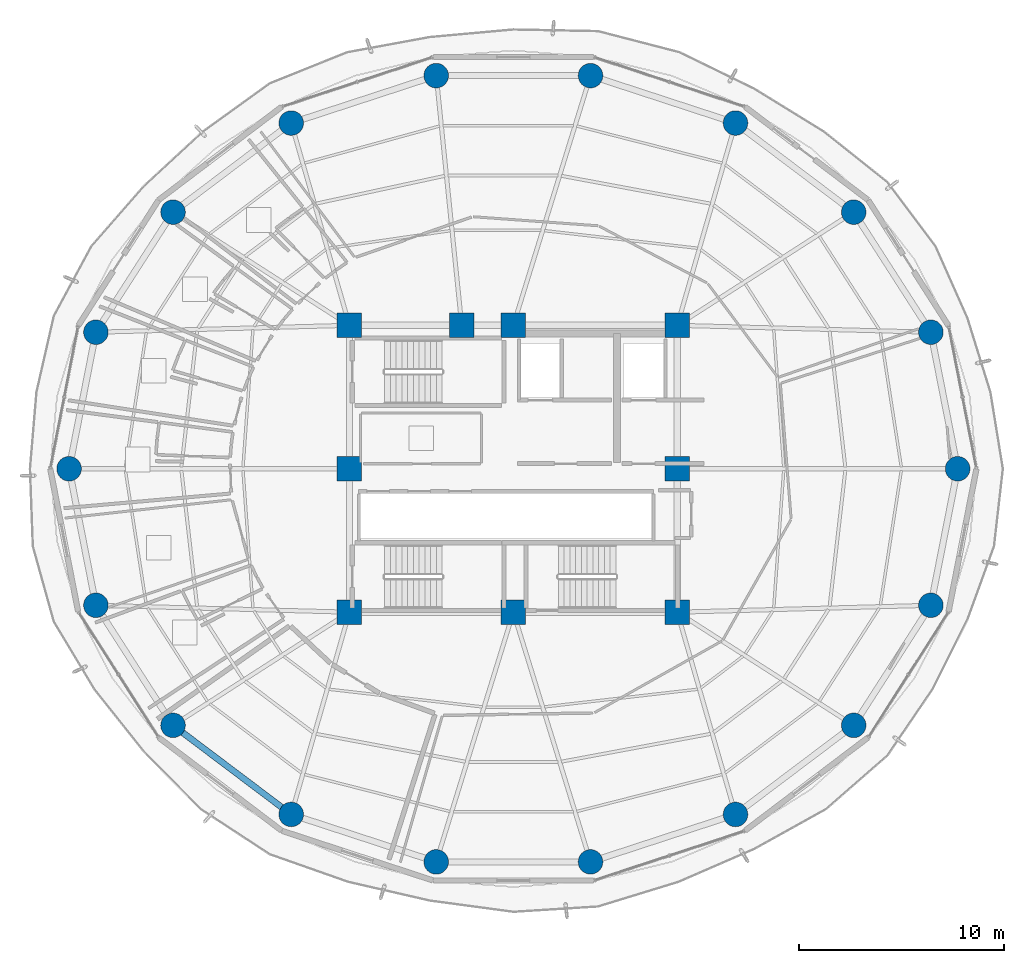
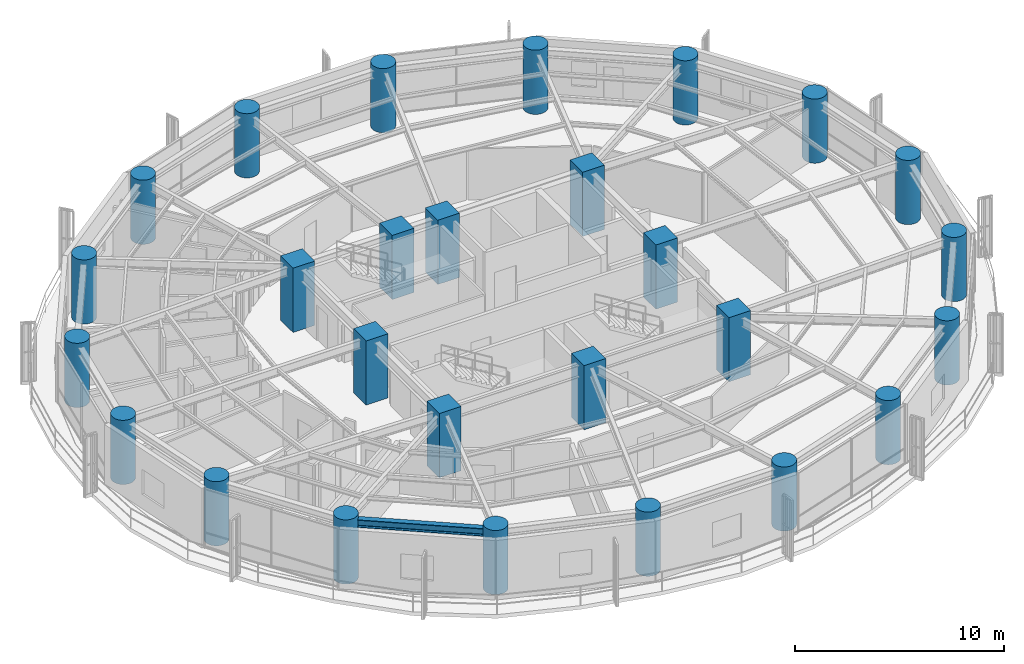
# One storey, part 1 of 27: 27 columns, 1 beam.
"""IFC4 building model written with IfcOpenShell, lengths in metres."""

from ifc_helpers import new_model, si_unit, direction, frame, origin, origin_2d, place, context, subcontext, project, spatial, rectangle, circle, i_section, extrude, material, material_profile, profile_set, type_object, element, save


model = new_model("IFC4")

# Units and contexts
model_context = context("Model", 3, precision=1e-05, world=origin(), true_north=direction((0.0, 1.0)))
body_context = subcontext(model_context, "Body", "Model", "MODEL_VIEW")
ifc_project = project(units=[si_unit("LENGTHUNIT", "METRE"), si_unit("AREAUNIT", "SQUARE_METRE"), si_unit("VOLUMEUNIT", "CUBIC_METRE"), si_unit("PLANEANGLEUNIT", "RADIAN"), si_unit("MASSUNIT", "GRAM", prefix="KILO")], contexts=[model_context])

# Site, building, storey
site_placement = place(None, origin())
site = spatial("IfcSite", under=ifc_project, at=site_placement, CompositionType="ELEMENT")
building_placement = place(site_placement, origin())
building = spatial("IfcBuilding", under=site, at=building_placement, Name="Kelanora Arch Commons", CompositionType="ELEMENT")
storey_placement = place(building_placement, frame((0.0, 0.0, 169.35009765625)))
storey = spatial("IfcBuildingStorey", under=building, at=storey_placement, Name="L43", CompositionType="ELEMENT", Elevation=169.35009765625)

# Columns
ifc_material_1 = material(Name="Concrete C50/60", Category="concrete")
ifc_material_profile_1 = material_profile(ifc_material_1, circle(Radius=0.60009765625, at=origin_2d()), Name="RCC1200")
ifc_profile_set_1 = profile_set([ifc_material_profile_1], Name="Concrete C50/60")
column_type_1 = type_object("IfcColumnType", Name="COL-PERIM-Z3", PredefinedType="COLUMN", material=ifc_profile_set_1)
for number, where, z_axis, x_axis, name in (
    (1, (95.679931640625, 58.0, 0.0), (0.0, 0.0, 1.0), (1.0, 0.0, 0.0), "Perimeter Ring Column CP-00 L43"),
    (2, (94.37255859375, 64.66259765625, 0.0), (0.0, 0.0, 1.0), (1.0, 0.0, 0.0), "Perimeter Ring Column CP-02 L43"),
    (3, (90.60791015625, 70.521484375, 0.0), (0.0, 0.0, 1.0), (1.0, 0.0, 0.0), "Perimeter Ring Column CP-04 L43"),
    (4, (84.840087890625, 74.8701171875, 0.0), (0.0, 0.0, 1.0), (1.0, 0.0, 0.0), "Perimeter Ring Column CP-06 L43"),
    (5, (77.7646484375, 77.18408203125, 0.0), (0.0, 0.0, 1.0), (1.0, 0.0, 0.0), "Perimeter Ring Column CP-08 L43"),
    (6, (70.2353515625, 77.18408203125, 0.0), (0.0, 0.0, 1.0), (1.0, 0.0, 0.0), "Perimeter Ring Column CP-10 L43"),
    (7, (63.159912109375, 74.8701171875, 0.0), (0.0, 0.0, 1.0), (1.0, 0.0, 0.0), "Perimeter Ring Column CP-12 L43"),
    (8, (57.39208984375, 70.521484375, 0.0), (0.0, 0.0, 1.0), (1.0, 0.0, 0.0), "Perimeter Ring Column CP-14 L43"),
    (9, (53.62744140625, 64.66259765625, 0.0), (0.0, 0.0, 1.0), (1.0, 0.0, 0.0), "Perimeter Ring Column CP-16 L43"),
    (10, (52.320068359375, 58.0, 0.0), (0.0, 0.0, 1.0), (1.0, 0.0, 0.0), "Perimeter Ring Column CP-18 L43"),
    (11, (53.62744140625, 51.33740234375, 0.0), (0.0, 0.0, 1.0), (1.0, 0.0, 0.0), "Perimeter Ring Column CP-20 L43"),
    (12, (57.39208984375, 45.478515625, 0.0), (0.0, 0.0, 1.0), (1.0, 0.0, 0.0), "Perimeter Ring Column CP-22 L43"),
    (13, (63.159912109375, 41.1298828125, 0.0), (0.0, 0.0, 1.0), (1.0, 0.0, 0.0), "Perimeter Ring Column CP-24 L43"),
    (14, (70.2353515625, 38.81591796875, 0.0), (0.0, 0.0, 1.0), (1.0, 0.0, 0.0), "Perimeter Ring Column CP-26 L43"),
    (15, (77.7646484375, 38.81591796875, 0.0), (0.0, 0.0, 1.0), (1.0, 0.0, 0.0), "Perimeter Ring Column CP-28 L43"),
    (16, (84.840087890625, 41.1298828125, 0.0), (0.0, 0.0, 1.0), (1.0, 0.0, 0.0), "Perimeter Ring Column CP-30 L43"),
    (17, (90.60791015625, 45.478515625, 0.0), (0.0, 0.0, 1.0), (1.0, 0.0, 0.0), "Perimeter Ring Column CP-32 L43"),
    (18, (94.37255859375, 51.33740234375, 0.0), (0.0, 0.0, 1.0), (1.0, 0.0, 0.0), "Perimeter Ring Column CP-34 L43"),
):
    element("IfcColumn", number, at=place(storey_placement, frame(where, z_axis=z_axis, x_axis=x_axis)), inside=storey, type_object=column_type_1, Name=name, PredefinedType="COLUMN", context=body_context, shape_type="SweptSolid", body=[
        extrude(circle(Radius=0.60009765625, at=origin_2d()), origin(), (0.0, 0.0, 1.0), 3.75),
    ])
ifc_material_2 = material(Name="Concrete C60/75", Category="concrete")
ifc_material_profile_2 = material_profile(ifc_material_2, rectangle(XDim=1.199951171875, YDim=1.199951171875, at=origin_2d()), Name="RC1200x1200")
ifc_profile_set_2 = profile_set([ifc_material_profile_2], Name="Concrete C60/75")
column_type_2 = type_object("IfcColumnType", Name="COL-PIL-MID", PredefinedType="PILASTER", material=ifc_profile_set_2)
for number, where, z_axis, x_axis, name in (
    (19, (66.0, 51.0, 0.0), (0.0, 0.0, 1.0), (1.0, 0.0, 0.0), "Core Pilaster Column CP1 L43"),
    (20, (74.0, 51.0, 0.0), (0.0, 0.0, 1.0), (1.0, 0.0, 0.0), "Core Pilaster Column CP2 L43"),
    (21, (82.0, 51.0, 0.0), (0.0, 0.0, 1.0), (1.0, 0.0, 0.0), "Core Pilaster Column CP3 L43"),
    (22, (82.0, 58.0, 0.0), (0.0, 0.0, 1.0), (1.0, 0.0, 0.0), "Core Pilaster Column CP4 L43"),
    (23, (82.0, 65.0, 0.0), (0.0, 0.0, 1.0), (1.0, 0.0, 0.0), "Core Pilaster Column CP5 L43"),
    (24, (74.0, 65.0, 0.0), (0.0, 0.0, 1.0), (1.0, 0.0, 0.0), "Core Pilaster Column CP6 L43"),
    (25, (71.47998046875, 65.0, 0.0), (0.0, 0.0, 1.0), (1.0, 0.0, 0.0), "Core Pilaster Column CP9 L43"),
    (26, (66.0, 65.0, 0.0), (0.0, 0.0, 1.0), (1.0, 0.0, 0.0), "Core Pilaster Column CP7 L43"),
    (27, (66.0, 58.0, 0.0), (0.0, 0.0, 1.0), (1.0, 0.0, 0.0), "Core Pilaster Column CP8 L43"),
):
    element("IfcColumn", number, at=place(storey_placement, frame(where, z_axis=z_axis, x_axis=x_axis)), inside=storey, type_object=column_type_2, Name=name, PredefinedType="PILASTER", context=body_context, shape_type="SweptSolid", body=[
        extrude(rectangle(XDim=1.199951171875, YDim=1.199951171875, at=origin_2d()), origin(), (0.0, 0.0, 1.0), 3.75),
    ])

# Beam
ifc_material_3 = material(Name="Steel S355", Category="steel")
ifc_material_profile_3 = material_profile(ifc_material_3, i_section(OverallWidth=0.300048828125, OverallDepth=0.449951171875, WebThickness=0.013916015625, FlangeThickness=0.02587890625, FilletRadius=0.027099609375, at=origin_2d()), Name="HEB450")
ifc_profile_set_3 = profile_set([ifc_material_profile_3], Name="Steel S355")
beam_type = type_object("IfcBeamType", Name="BM-SPN-Z3", PredefinedType="SPANDREL", material=ifc_profile_set_3)
beam_placement = place(storey_placement, frame((57.39208984375, 45.478515625, 3.264892578125), z_axis=(0.798484645564, -0.60201517489, 0.0), x_axis=(0.60201517489, 0.798484645564, 0.0)))
element("IfcBeam", 28, at=beam_placement, inside=storey, type_object=beam_type, Name="Perimeter Spandrel Beam BS-22 L43", PredefinedType="SPANDREL", context=body_context, shape_type="SweptSolid", body=[
    extrude(i_section(OverallWidth=0.300048828125, OverallDepth=0.449951171875, WebThickness=0.013916015625, FlangeThickness=0.02587890625, FilletRadius=0.027099609375, at=origin_2d()), origin(), (0.0, 0.0, 1.0), 7.223388671875),
])

save(model, "model.ifc")
